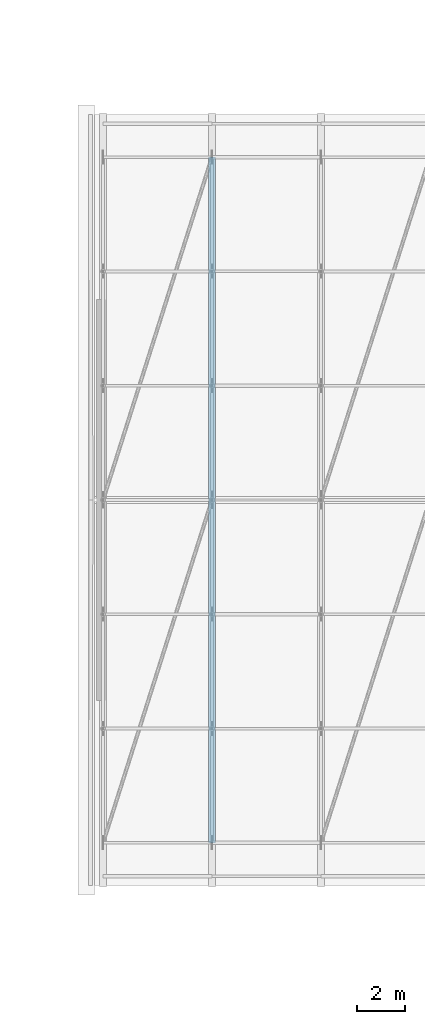
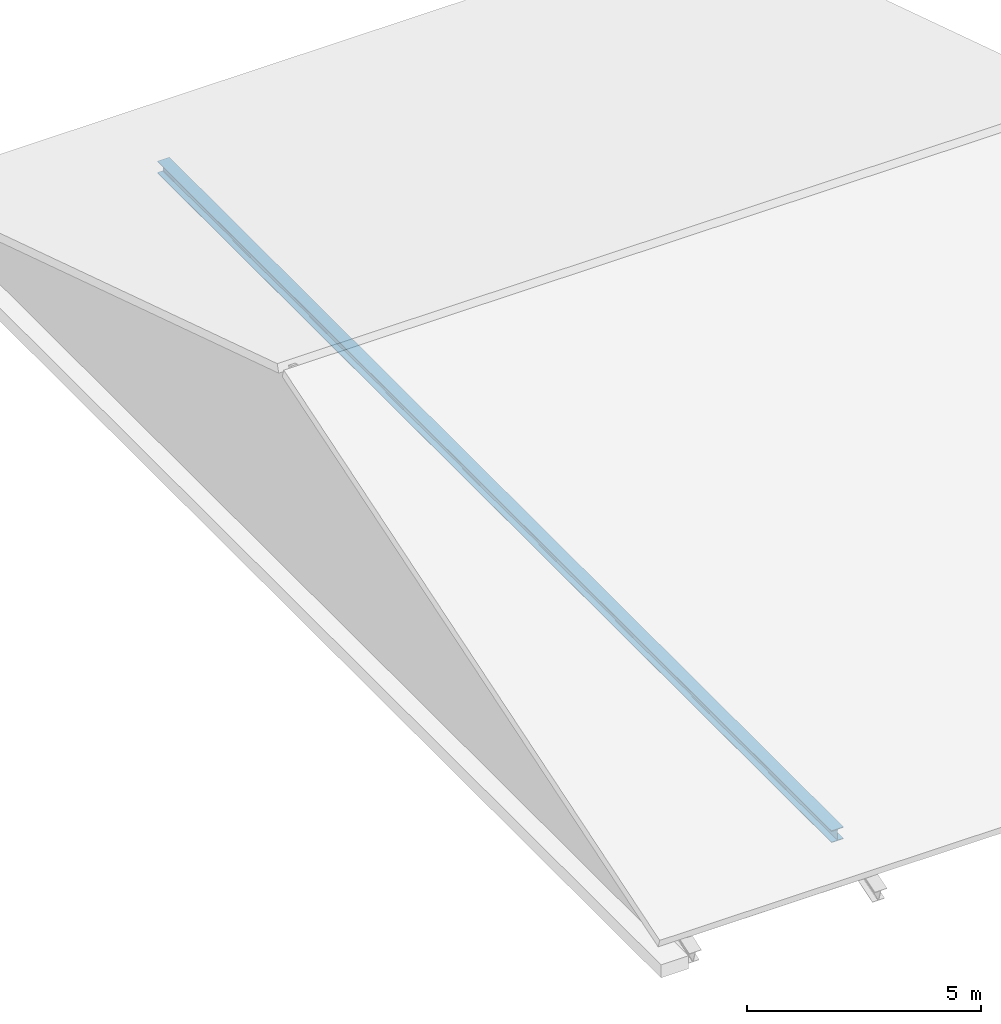
# One storey, part 24 of 134: 1 member.
"""IFC4 building model written with IfcOpenShell, lengths in metres."""

import ifcopenshell
import ifcopenshell.guid

model = None  # the IFC model being written
_history = None  # IfcOwnerHistory: only IFC2X3 demands one
_inside = {}  # id of a spatial element -> (the spatial element, [elements in it])
_under = {}  # id of a project, library or spatial element -> (it, [spatial elements below it])
_declared = {}  # id of a project -> (the project, [libraries it declares])
_typed = {}  # id of a type object -> (the type object, [elements of that type])
_made_of = {}  # id of a material, layer set ... -> (it, [elements and type objects made of it])


def new_model(schema):
    """Start an empty IFC model of exactly this schema.

    Asked for "IFC4X3", IfcOpenShell would pick the latest addendum, in which some entities
    have other attributes; the version numbers below select the first issue.
    IFC2X3 requires an IfcOwnerHistory on every rooted entity: one is made here for all.
    """
    global model, _history
    if schema == "IFC4X3":
        model = ifcopenshell.file(schema_version=(4, 3, 0, 0))
    else:
        model = ifcopenshell.file(schema=schema)
    _inside.clear()
    _under.clear()
    _declared.clear()
    _typed.clear()
    _made_of.clear()
    _history = None
    if model.schema == "IFC2X3":
        org = make("IfcOrganization", Name="unknown")
        user = make(
            "IfcPersonAndOrganization",
            ThePerson=make("IfcPerson", FamilyName="unknown"),
            TheOrganization=org,
        )
        app = make(
            "IfcApplication",
            ApplicationDeveloper=org,
            Version="unknown",
            ApplicationFullName="unknown",
            ApplicationIdentifier="unknown",
        )
        _history = make(
            "IfcOwnerHistory",
            OwningUser=user,
            OwningApplication=app,
            ChangeAction="ADDED",
            CreationDate=0,
        )
    return model


def make(cls, **values):
    """One entity of the class cls with the attributes given. An attribute that is None is left unset."""
    return model.create_entity(
        cls, **{name: value for name, value in values.items() if value is not None}
    )


def rooted(cls, **values):
    """An entity with a GlobalId (a new one), such as an element, a storey or a relation."""
    return make(cls, GlobalId=ifcopenshell.guid.new(), OwnerHistory=_history, **values)


def si_unit(unit_type, name, prefix=None):
    """IfcSIUnit, for example si_unit("LENGTHUNIT", "METRE", prefix="MILLI")."""
    return make("IfcSIUnit", UnitType=unit_type, Prefix=prefix, Name=name)


def assignment(units):
    """IfcUnitAssignment: the units of a project."""
    return None if units is None else make("IfcUnitAssignment", Units=units)


def point(xyz):
    """IfcCartesianPoint."""
    return None if xyz is None else make("IfcCartesianPoint", Coordinates=xyz)


def direction(xyz):
    """IfcDirection."""
    return None if xyz is None else make("IfcDirection", DirectionRatios=xyz)


def frame(location, z_axis=None, x_axis=None):
    """IfcAxis2Placement3D, a coordinate frame: its origin and axes. An axis left out is left unset."""
    return make(
        "IfcAxis2Placement3D",
        Location=point(location),
        Axis=direction(z_axis),
        RefDirection=direction(x_axis),
    )


def frame_2d(location, x_axis=None):
    """IfcAxis2Placement2D, a coordinate frame in the plane: its origin and x axis."""
    return make(
        "IfcAxis2Placement2D", Location=point(location), RefDirection=direction(x_axis)
    )


def origin():
    """The frame at (0, 0, 0) with its axes left unset."""
    return frame((0.0, 0.0, 0.0))


def origin_2d():
    """The frame at (0, 0) in the plane with its x axis left unset."""
    return frame_2d((0.0, 0.0))


def place(relative_to, where):
    """IfcLocalPlacement: puts the frame where relative to a parent placement (None: the world)."""
    return make(
        "IfcLocalPlacement", PlacementRelTo=relative_to, RelativePlacement=where
    )


def context(
    kind, dimensions, precision=None, world=None, true_north=None, identifier=None
):
    """IfcGeometricRepresentationContext, for example the 3D "Model" context."""
    return make(
        "IfcGeometricRepresentationContext",
        ContextIdentifier=identifier,
        ContextType=kind,
        CoordinateSpaceDimension=dimensions,
        Precision=precision,
        WorldCoordinateSystem=world,
        TrueNorth=true_north,
    )


def subcontext(parent, identifier, kind, view, scale=None):
    """IfcGeometricRepresentationSubContext, for example "Body" below "Model"."""
    return make(
        "IfcGeometricRepresentationSubContext",
        ContextIdentifier=identifier,
        ContextType=kind,
        ParentContext=parent,
        TargetScale=scale,
        TargetView=view,
    )


def project(units=None, contexts=None):
    """IfcProject with its units and contexts."""
    return rooted(
        "IfcProject",
        Name="project",
        RepresentationContexts=contexts,
        UnitsInContext=assignment(units),
    )


def spatial(cls, under=None, at=None, **own):
    """A site, building, storey or space (cls), placed at a placement, below another one or the project."""
    s = rooted(cls, ObjectPlacement=at, **own)
    if under is not None:
        _under.setdefault(under.id(), (under, []))[1].append(s)
    return s


def profile(cls, at=None, kind="AREA", **sizes):
    """A parametric profile (cls). Its sizes go by their IFC names, for example OverallWidth=200.0."""
    return make(cls, ProfileType=kind, Position=at, **sizes)


def i_section(**sizes):
    """IfcIShapeProfileDef."""
    return profile("IfcIShapeProfileDef", **sizes)


def extrude(swept, where, along, depth):
    """IfcExtrudedAreaSolid: the profile swept, set in the frame where, extruded along a direction by depth."""
    return make(
        "IfcExtrudedAreaSolid",
        SweptArea=swept,
        Position=where,
        ExtrudedDirection=direction(along),
        Depth=depth,
    )


def shape(context_of_items, identifier, shape_type, items):
    """IfcShapeRepresentation: the items that make up one representation, for example the "Body"."""
    return make(
        "IfcShapeRepresentation",
        ContextOfItems=context_of_items,
        RepresentationIdentifier=identifier,
        RepresentationType=shape_type,
        Items=items,
    )


def material(Name=None, Category=None):
    """IfcMaterial."""
    return make("IfcMaterial", Name=Name, Category=Category)


def material_profile(
    of_material, cross_section, Name=None, Category=None, Priority=None
):
    """IfcMaterialProfile: a cross section and its material."""
    return make(
        "IfcMaterialProfile",
        Name=Name,
        Material=of_material,
        Profile=cross_section,
        Priority=Priority,
        Category=Category,
    )


def profile_set(profiles, Name=None, composite=None):
    """IfcMaterialProfileSet."""
    return make(
        "IfcMaterialProfileSet",
        Name=Name,
        MaterialProfiles=profiles,
        CompositeProfile=composite,
    )


def made_of(thing, what):
    """Note that an element or type object is made of a material, layer set ...; save() writes the relation."""
    if what is not None:
        _made_of.setdefault(what.id(), (what, []))[1].append(thing)
    return thing


def type_object(cls, material=None, **own):
    """A type object (cls), such as IfcWallType, which elements share."""
    return made_of(rooted(cls, **own), material)


def element(
    cls,
    number,
    at=None,
    inside=None,
    cuts=None,
    type_object=None,
    material=None,
    context=None,
    identifier="Body",
    shape_type=None,
    held_by="IfcProductDefinitionShape",
    body=None,
    shapes=None,
    **own,
):
    """One element of the class cls, such as IfcWall. Its Tag is "e" and its number.

    at: its placement. inside: the storey or other place that contains it. cuts: it is an
    opening in that element (IfcRelVoidsElement). A single representation is given by context,
    identifier, shape_type and body (its items); several are given by shapes. held_by: the class
    of the entity that holds the representations. save() writes the other relations.
    """
    e = rooted(cls, Tag="e%d" % number, ObjectPlacement=at, **own)
    if body is not None:
        shapes = [shape(context, identifier, shape_type, body)]
    if shapes is not None:
        e.Representation = make(held_by, Representations=shapes)
    if inside is not None:
        _inside.setdefault(inside.id(), (inside, []))[1].append(e)
    if cuts is not None:
        rooted(
            "IfcRelVoidsElement", RelatingBuildingElement=cuts, RelatedOpeningElement=e
        )
    if type_object is not None:
        _typed.setdefault(type_object.id(), (type_object, []))[1].append(e)
    return made_of(e, material)


def aggregate(whole, parts):
    """IfcRelAggregates: a whole, such as a stair, and the parts it consists of."""
    return rooted("IfcRelAggregates", RelatingObject=whole, RelatedObjects=parts)


def save(model, path):
    """Write the relations noted so far, then the file.

    IfcRelAggregates (storeys below a building ...), IfcRelContainedInSpatialStructure (elements
    in a storey), IfcRelDefinesByType, IfcRelAssociatesMaterial and IfcRelDeclares: one each for
    every whole, place, type object, material and project.
    """
    for whole, parts in _under.values():
        aggregate(whole, parts)
    for where, things in _inside.values():
        rooted(
            "IfcRelContainedInSpatialStructure",
            RelatedElements=things,
            RelatingStructure=where,
        )
    for kind, things in _typed.values():
        rooted("IfcRelDefinesByType", RelatedObjects=things, RelatingType=kind)
    for what, things in _made_of.values():
        rooted("IfcRelAssociatesMaterial", RelatedObjects=things, RelatingMaterial=what)
    for by, libraries in _declared.values():
        rooted("IfcRelDeclares", RelatingContext=by, RelatedDefinitions=libraries)
    model.write(path)


model = new_model("IFC4")

# Units and contexts
model_context = context("Model", 3, precision=1e-05, world=origin(), true_north=direction((0.0, 1.0)))
body_context = subcontext(model_context, "Body", "Model", "MODEL_VIEW")
ifc_project = project(units=[si_unit("LENGTHUNIT", "METRE"), si_unit("AREAUNIT", "SQUARE_METRE"), si_unit("VOLUMEUNIT", "CUBIC_METRE"), si_unit("PLANEANGLEUNIT", "RADIAN"), si_unit("MASSUNIT", "GRAM", prefix="KILO")], contexts=[model_context])

# Site, building, storey
site_placement = place(None, origin())
site = spatial("IfcSite", under=ifc_project, at=site_placement, CompositionType="ELEMENT")
building_placement = place(site_placement, origin())
building = spatial("IfcBuilding", under=site, at=building_placement, Name="Asteropetra Specialist Clinic", CompositionType="ELEMENT")
storey_placement = place(building_placement, frame((0.0, 0.0, 8.5)))
storey = spatial("IfcBuildingStorey", under=building, at=storey_placement, Name="L02", CompositionType="ELEMENT", Elevation=8.5)

# Member
ifc_material = material(Name="Steel S355", Category="steel")
ifc_material_profile = material_profile(ifc_material, i_section(OverallWidth=0.300048828125, OverallDepth=0.31005859375, WebThickness=0.009033203125, FlangeThickness=0.015380859375, FilletRadius=0.027099609375, at=origin_2d()), Name="HEA 320")
ifc_profile_set = profile_set([ifc_material_profile], Name="Steel S355")
member_type = type_object("IfcMemberType", Name="TR-CHD-HEA320", PredefinedType="CHORD", material=ifc_profile_set)
member_placement = place(storey_placement, frame((81.824951171875, 33.60009765625, 0.35498046875), z_axis=(0.0, 1.0, 0.0), x_axis=(-1.0, 0.0, 0.0)))
element("IfcMember", 1, at=member_placement, inside=storey, type_object=member_type, Name="Truss Bottom Chord TRV3-BC02", PredefinedType="CHORD", context=body_context, shape_type="SweptSolid", body=[
    extrude(i_section(OverallWidth=0.300048828125, OverallDepth=0.31005859375, WebThickness=0.009033203125, FlangeThickness=0.015380859375, FilletRadius=0.027099609375, at=origin_2d()), origin(), (0.0, 0.0, 1.0), 28.7998046875),
])

save(model, "model.ifc")
